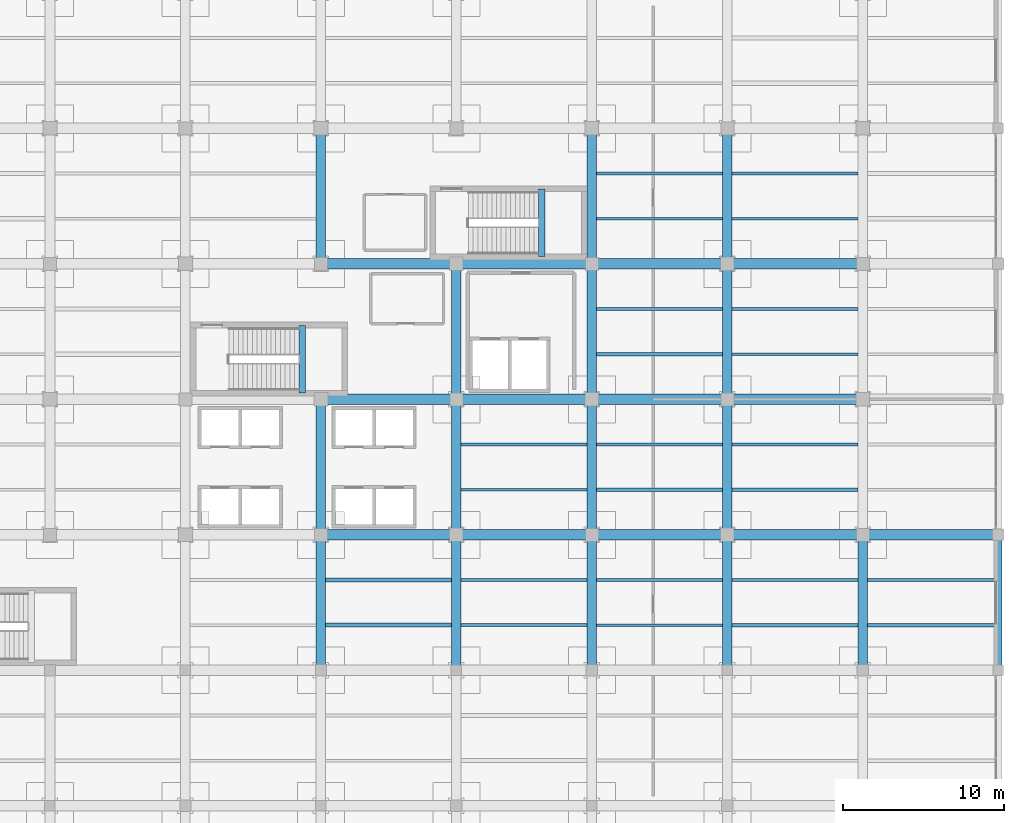
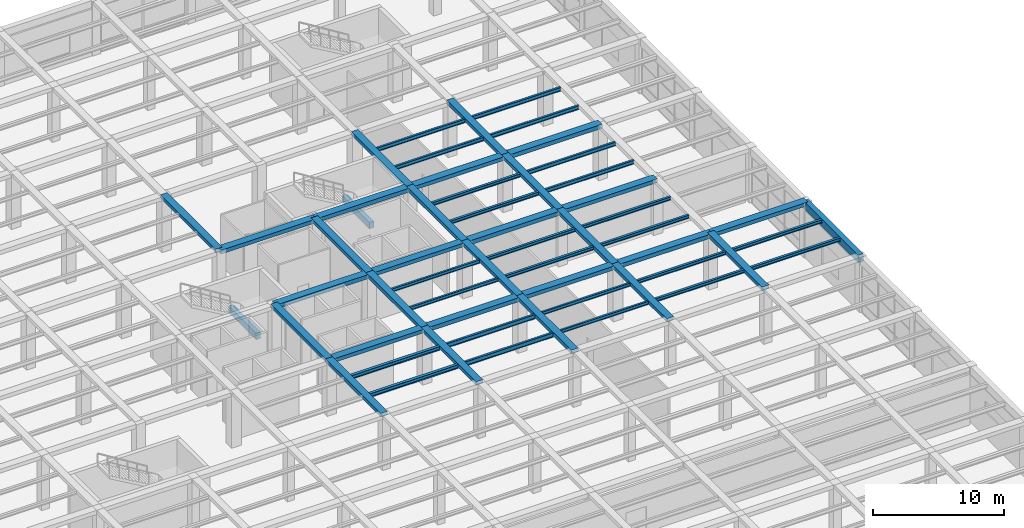
# One storey, part 55 of 95: 55 beams.
"""IFC4 building model written with IfcOpenShell, lengths in metres."""

from ifc_helpers import new_model, si_unit, direction, frame, origin, origin_2d, place, context, subcontext, project, spatial, rectangle, i_section, extrude, material, material_profile, profile_set, type_object, element, save


model = new_model("IFC4")

# Units and contexts
model_context = context("Model", 3, precision=1e-05, world=origin(), true_north=direction((0.0, 1.0)))
body_context = subcontext(model_context, "Body", "Model", "MODEL_VIEW")
ifc_project = project(units=[si_unit("LENGTHUNIT", "METRE"), si_unit("AREAUNIT", "SQUARE_METRE"), si_unit("VOLUMEUNIT", "CUBIC_METRE"), si_unit("PLANEANGLEUNIT", "RADIAN"), si_unit("MASSUNIT", "GRAM", prefix="KILO")], contexts=[model_context])

# Site, building, storey
site_placement = place(None, origin())
site = spatial("IfcSite", under=ifc_project, at=site_placement, CompositionType="ELEMENT")
building_placement = place(site_placement, origin())
building = spatial("IfcBuilding", under=site, at=building_placement, Name="Almacenes y Pasaje Nevantli", CompositionType="ELEMENT")
storey_placement = place(building_placement, frame((0.0, 0.0, 11.39990234375)))
storey = spatial("IfcBuildingStorey", under=building, at=storey_placement, Name="L03", CompositionType="ELEMENT", Elevation=11.39990234375)

# Beams
ifc_material_1 = material(Name="Concrete C35/45", Category="concrete")
ifc_material_profile_1 = material_profile(ifc_material_1, rectangle(XDim=0.39990234375, YDim=0.60009765625, at=origin_2d()), Name="RC-BM-400x600")
ifc_profile_set_1 = profile_set([ifc_material_profile_1], Name="Concrete C35/45")
beam_type_1 = type_object("IfcBeamType", Name="BM-RC-400x600", PredefinedType="SPANDREL", material=ifc_profile_set_1)
for number, where, z_axis, x_axis, name in (
    (1, (124.85009765625, 76.0, 2.2001953125), (0.0, 1.0, 0.0), (-1.0, 0.0, 0.0), "L03 Stair ST-01 Half-Landing Support Beam"),
    (2, (139.699951171875, 84.449951171875, 2.2001953125), (0.0, 1.0, 0.0), (-1.0, 0.0, 0.0), "L03 Stair ST-02 Half-Landing Support Beam"),
):
    element("IfcBeam", number, at=place(storey_placement, frame(where, z_axis=z_axis, x_axis=x_axis)), inside=storey, type_object=beam_type_1, Name=name, PredefinedType="SPANDREL", context=body_context, shape_type="SweptSolid", body=[
        extrude(rectangle(XDim=0.39990234375, YDim=0.60009765625, at=origin_2d()), origin(), (0.0, 0.0, 1.0), 4.18994140625),
    ])
ifc_material_2 = material(Name="Concrete C35/45", Category="concrete")
ifc_material_profile_2 = material_profile(ifc_material_2, rectangle(XDim=0.449951171875, YDim=0.699951171875, at=origin_2d()), Name="RC-BM-450x700")
ifc_profile_set_2 = profile_set([ifc_material_profile_2], Name="Concrete C35/45")
beam_type_2 = type_object("IfcBeamType", Name="BM-RC-450x700", PredefinedType="SPANDREL", material=ifc_profile_set_2)
beam_1_placement = place(storey_placement, frame((168.0, 58.800048828125, 4.75), z_axis=(0.0, 1.0, 0.0), x_axis=(-1.0, 0.0, 0.0)))
element("IfcBeam", 3, at=beam_1_placement, inside=storey, type_object=beam_type_2, Name="L03 North-South Reinforced Concrete Beam #2709", PredefinedType="SPANDREL", context=body_context, shape_type="SweptSolid", body=[
    extrude(rectangle(XDim=0.449951171875, YDim=0.699951171875, at=origin_2d()), origin(), (0.0, 0.0, 1.0), 8.39990234375),
])
ifc_material_3 = material(Name="Concrete C35/45", Category="concrete")
ifc_material_profile_3 = material_profile(ifc_material_3, rectangle(XDim=0.60009765625, YDim=0.320068359375, at=origin_2d()), Name="RC-BM-600x320")
ifc_profile_set_3 = profile_set([ifc_material_profile_3], Name="Concrete C35/45")
beam_type_3 = type_object("IfcBeamType", Name="BM-RC-600x320", PredefinedType="BEAM", material=ifc_profile_set_3)
beam_2_placement = place(storey_placement, frame((126.0, 67.199951171875, 4.940185546875), z_axis=(0.0, 1.0, 0.0), x_axis=(-1.0, 0.0, 0.0)))
element("IfcBeam", 4, at=beam_2_placement, inside=storey, type_object=beam_type_3, Name="L03 North-South Reinforced Concrete Beam #2644", PredefinedType="BEAM", context=body_context, shape_type="SweptSolid", body=[
    extrude(rectangle(XDim=0.60009765625, YDim=0.320068359375, at=origin_2d()), origin(), (0.0, 0.0, 1.0), 8.400146484375),
])
for number, where, z_axis, x_axis, name in (
    (5, (126.0, 84.0, 4.940185546875), (0.0, 1.0, 0.0), (-1.0, 0.0, 0.0), "L03 North-South Reinforced Concrete Beam #2645"),
    (6, (134.39990234375, 58.800048828125, 4.940185546875), (0.0, 1.0, 0.0), (-1.0, 0.0, 0.0), "L03 North-South Reinforced Concrete Beam #2655"),
    (7, (134.39990234375, 75.60009765625, 4.940185546875), (0.0, 1.0, 0.0), (-1.0, 0.0, 0.0), "L03 North-South Reinforced Concrete Beam #2657"),
):
    element("IfcBeam", number, at=place(storey_placement, frame(where, z_axis=z_axis, x_axis=x_axis)), inside=storey, type_object=beam_type_3, Name=name, PredefinedType="BEAM", context=body_context, shape_type="SweptSolid", body=[
        extrude(rectangle(XDim=0.60009765625, YDim=0.320068359375, at=origin_2d()), origin(), (0.0, 0.0, 1.0), 8.39990234375),
    ])
beam_3_placement = place(storey_placement, frame((142.800048828125, 67.199951171875, 4.940185546875), z_axis=(0.0, 1.0, 0.0), x_axis=(-1.0, 0.0, 0.0)))
element("IfcBeam", 8, at=beam_3_placement, inside=storey, type_object=beam_type_3, Name="L03 North-South Reinforced Concrete Beam #2669", PredefinedType="BEAM", context=body_context, shape_type="SweptSolid", body=[
    extrude(rectangle(XDim=0.60009765625, YDim=0.320068359375, at=origin_2d()), origin(), (0.0, 0.0, 1.0), 8.400146484375),
])
for number, where, z_axis, x_axis, name in (
    (9, (142.800048828125, 84.0, 4.940185546875), (0.0, 1.0, 0.0), (-1.0, 0.0, 0.0), "L03 North-South Reinforced Concrete Beam #2671"),
    (10, (151.199951171875, 58.800048828125, 4.940185546875), (0.0, 1.0, 0.0), (-1.0, 0.0, 0.0), "L03 North-South Reinforced Concrete Beam #2682"),
    (11, (151.199951171875, 75.60009765625, 4.940185546875), (0.0, 1.0, 0.0), (-1.0, 0.0, 0.0), "L03 North-South Reinforced Concrete Beam #2684"),
):
    element("IfcBeam", number, at=place(storey_placement, frame(where, z_axis=z_axis, x_axis=x_axis)), inside=storey, type_object=beam_type_3, Name=name, PredefinedType="BEAM", context=body_context, shape_type="SweptSolid", body=[
        extrude(rectangle(XDim=0.60009765625, YDim=0.320068359375, at=origin_2d()), origin(), (0.0, 0.0, 1.0), 8.39990234375),
    ])
ifc_material_4 = material(Name="Concrete C35/45", Category="concrete")
ifc_material_profile_4 = material_profile(ifc_material_4, rectangle(XDim=0.60009765625, YDim=0.340087890625, at=origin_2d()), Name="RC-BM-600x340")
ifc_profile_set_4 = profile_set([ifc_material_profile_4], Name="Concrete C35/45")
beam_type_4 = type_object("IfcBeamType", Name="BM-RC-600x340", PredefinedType="BEAM", material=ifc_profile_set_4)
beam_4_placement = place(storey_placement, frame((126.0, 58.800048828125, 4.93017578125), z_axis=(0.0, 1.0, 0.0), x_axis=(-1.0, 0.0, 0.0)))
element("IfcBeam", 12, at=beam_4_placement, inside=storey, type_object=beam_type_4, Name="L03 North-South Reinforced Concrete Beam #2643", PredefinedType="BEAM", context=body_context, shape_type="SweptSolid", body=[
    extrude(rectangle(XDim=0.60009765625, YDim=0.340087890625, at=origin_2d()), origin(), (0.0, 0.0, 1.0), 8.39990234375),
])
beam_5_placement = place(storey_placement, frame((134.39990234375, 67.199951171875, 4.93017578125), z_axis=(0.0, 1.0, 0.0), x_axis=(-1.0, 0.0, 0.0)))
element("IfcBeam", 13, at=beam_5_placement, inside=storey, type_object=beam_type_4, Name="L03 North-South Reinforced Concrete Beam #2656", PredefinedType="BEAM", context=body_context, shape_type="SweptSolid", body=[
    extrude(rectangle(XDim=0.60009765625, YDim=0.340087890625, at=origin_2d()), origin(), (0.0, 0.0, 1.0), 8.400146484375),
])
for number, where, z_axis, x_axis, name in (
    (14, (142.800048828125, 58.800048828125, 4.93017578125), (0.0, 1.0, 0.0), (-1.0, 0.0, 0.0), "L03 North-South Reinforced Concrete Beam #2668"),
    (15, (142.800048828125, 75.60009765625, 4.93017578125), (0.0, 1.0, 0.0), (-1.0, 0.0, 0.0), "L03 North-South Reinforced Concrete Beam #2670"),
):
    element("IfcBeam", number, at=place(storey_placement, frame(where, z_axis=z_axis, x_axis=x_axis)), inside=storey, type_object=beam_type_4, Name=name, PredefinedType="BEAM", context=body_context, shape_type="SweptSolid", body=[
        extrude(rectangle(XDim=0.60009765625, YDim=0.340087890625, at=origin_2d()), origin(), (0.0, 0.0, 1.0), 8.39990234375),
    ])
beam_6_placement = place(storey_placement, frame((151.199951171875, 67.199951171875, 4.93017578125), z_axis=(0.0, 1.0, 0.0), x_axis=(-1.0, 0.0, 0.0)))
element("IfcBeam", 16, at=beam_6_placement, inside=storey, type_object=beam_type_4, Name="L03 North-South Reinforced Concrete Beam #2683", PredefinedType="BEAM", context=body_context, shape_type="SweptSolid", body=[
    extrude(rectangle(XDim=0.60009765625, YDim=0.340087890625, at=origin_2d()), origin(), (0.0, 0.0, 1.0), 8.400146484375),
])
for number, where, z_axis, x_axis, name in (
    (17, (151.199951171875, 84.0, 4.93017578125), (0.0, 1.0, 0.0), (-1.0, 0.0, 0.0), "L03 North-South Reinforced Concrete Beam #2685"),
    (18, (159.60009765625, 58.800048828125, 4.93017578125), (0.0, 1.0, 0.0), (-1.0, 0.0, 0.0), "L03 North-South Reinforced Concrete Beam #2695"),
):
    element("IfcBeam", number, at=place(storey_placement, frame(where, z_axis=z_axis, x_axis=x_axis)), inside=storey, type_object=beam_type_4, Name=name, PredefinedType="BEAM", context=body_context, shape_type="SweptSolid", body=[
        extrude(rectangle(XDim=0.60009765625, YDim=0.340087890625, at=origin_2d()), origin(), (0.0, 0.0, 1.0), 8.39990234375),
    ])
ifc_material_5 = material(Name="Concrete C35/45", Category="concrete")
ifc_material_profile_5 = material_profile(ifc_material_5, rectangle(XDim=0.64990234375, YDim=0.35009765625, at=origin_2d()), Name="RC-BM-650x350")
ifc_profile_set_5 = profile_set([ifc_material_profile_5], Name="Concrete C35/45")
beam_type_5 = type_object("IfcBeamType", Name="BM-RC-650x350", PredefinedType="BEAM", material=ifc_profile_set_5)
for number, where, z_axis, x_axis, name in (
    (19, (126.0, 67.199951171875, 4.925048828125), (1.0, 0.0, 0.0), (0.0, 1.0, 0.0), "L03 East-West Reinforced Concrete Beam #2370"),
    (20, (142.800048828125, 67.199951171875, 4.925048828125), (1.0, 0.0, 0.0), (0.0, 1.0, 0.0), "L03 East-West Reinforced Concrete Beam #2372"),
    (21, (159.60009765625, 67.199951171875, 4.925048828125), (1.0, 0.0, 0.0), (0.0, 1.0, 0.0), "L03 East-West Reinforced Concrete Beam #2374"),
):
    element("IfcBeam", number, at=place(storey_placement, frame(where, z_axis=z_axis, x_axis=x_axis)), inside=storey, type_object=beam_type_5, Name=name, PredefinedType="BEAM", context=body_context, shape_type="SweptSolid", body=[
        extrude(rectangle(XDim=0.64990234375, YDim=0.35009765625, at=origin_2d()), origin(), (0.0, 0.0, 1.0), 8.39990234375),
    ])
for number, where, z_axis, x_axis, name in (
    (22, (134.39990234375, 75.60009765625, 4.925048828125), (1.0, 0.0, 0.0), (0.0, 1.0, 0.0), "L03 East-West Reinforced Concrete Beam #2388"),
    (23, (151.199951171875, 75.60009765625, 4.925048828125), (1.0, 0.0, 0.0), (0.0, 1.0, 0.0), "L03 East-West Reinforced Concrete Beam #2390"),
):
    element("IfcBeam", number, at=place(storey_placement, frame(where, z_axis=z_axis, x_axis=x_axis)), inside=storey, type_object=beam_type_5, Name=name, PredefinedType="BEAM", context=body_context, shape_type="SweptSolid", body=[
        extrude(rectangle(XDim=0.64990234375, YDim=0.35009765625, at=origin_2d()), origin(), (0.0, 0.0, 1.0), 8.400146484375),
    ])
for number, where, z_axis, x_axis, name in (
    (24, (126.0, 84.0, 4.925048828125), (1.0, 0.0, 0.0), (0.0, 1.0, 0.0), "L03 East-West Reinforced Concrete Beam #2404"),
    (25, (142.800048828125, 84.0, 4.925048828125), (1.0, 0.0, 0.0), (0.0, 1.0, 0.0), "L03 East-West Reinforced Concrete Beam #2406"),
):
    element("IfcBeam", number, at=place(storey_placement, frame(where, z_axis=z_axis, x_axis=x_axis)), inside=storey, type_object=beam_type_5, Name=name, PredefinedType="BEAM", context=body_context, shape_type="SweptSolid", body=[
        extrude(rectangle(XDim=0.64990234375, YDim=0.35009765625, at=origin_2d()), origin(), (0.0, 0.0, 1.0), 8.39990234375),
    ])
ifc_material_6 = material(Name="Concrete C35/45", Category="concrete")
ifc_material_profile_6 = material_profile(ifc_material_6, rectangle(XDim=0.64990234375, YDim=0.3798828125, at=origin_2d()), Name="RC-BM-650x380")
ifc_profile_set_6 = profile_set([ifc_material_profile_6], Name="Concrete C35/45")
beam_type_6 = type_object("IfcBeamType", Name="BM-RC-650x380", PredefinedType="BEAM", material=ifc_profile_set_6)
for number, where, z_axis, x_axis, name in (
    (26, (134.39990234375, 67.199951171875, 4.91015625), (1.0, 0.0, 0.0), (0.0, 1.0, 0.0), "L03 East-West Reinforced Concrete Beam #2371"),
    (27, (151.199951171875, 67.199951171875, 4.91015625), (1.0, 0.0, 0.0), (0.0, 1.0, 0.0), "L03 East-West Reinforced Concrete Beam #2373"),
):
    element("IfcBeam", number, at=place(storey_placement, frame(where, z_axis=z_axis, x_axis=x_axis)), inside=storey, type_object=beam_type_6, Name=name, PredefinedType="BEAM", context=body_context, shape_type="SweptSolid", body=[
        extrude(rectangle(XDim=0.64990234375, YDim=0.3798828125, at=origin_2d()), origin(), (0.0, 0.0, 1.0), 8.400146484375),
    ])
for number, where, z_axis, x_axis, name in (
    (28, (126.0, 75.60009765625, 4.91015625), (1.0, 0.0, 0.0), (0.0, 1.0, 0.0), "L03 East-West Reinforced Concrete Beam #2387"),
    (29, (142.800048828125, 75.60009765625, 4.91015625), (1.0, 0.0, 0.0), (0.0, 1.0, 0.0), "L03 East-West Reinforced Concrete Beam #2389"),
):
    element("IfcBeam", number, at=place(storey_placement, frame(where, z_axis=z_axis, x_axis=x_axis)), inside=storey, type_object=beam_type_6, Name=name, PredefinedType="BEAM", context=body_context, shape_type="SweptSolid", body=[
        extrude(rectangle(XDim=0.64990234375, YDim=0.3798828125, at=origin_2d()), origin(), (0.0, 0.0, 1.0), 8.39990234375),
    ])
for number, where, z_axis, x_axis, name in (
    (30, (134.39990234375, 84.0, 4.91015625), (1.0, 0.0, 0.0), (0.0, 1.0, 0.0), "L03 East-West Reinforced Concrete Beam #2405"),
    (31, (151.199951171875, 84.0, 4.91015625), (1.0, 0.0, 0.0), (0.0, 1.0, 0.0), "L03 East-West Reinforced Concrete Beam #2407"),
):
    element("IfcBeam", number, at=place(storey_placement, frame(where, z_axis=z_axis, x_axis=x_axis)), inside=storey, type_object=beam_type_6, Name=name, PredefinedType="BEAM", context=body_context, shape_type="SweptSolid", body=[
        extrude(rectangle(XDim=0.64990234375, YDim=0.3798828125, at=origin_2d()), origin(), (0.0, 0.0, 1.0), 8.400146484375),
    ])
ifc_material_7 = material(Name="Steel ASTM A992", Category="steel")
ifc_material_profile_7 = material_profile(ifc_material_7, i_section(OverallWidth=0.1650390625, OverallDepth=0.306884765625, WebThickness=0.006591796875, FlangeThickness=0.01025390625, at=origin_2d()), Name="IR 305x44.6")
ifc_profile_set_7 = profile_set([ifc_material_profile_7], Name="Steel ASTM A992")
beam_type_7 = type_object("IfcBeamType", Name="BM-STL-IR-305x44p6", PredefinedType="JOIST", material=ifc_profile_set_7)
for number, where, z_axis, x_axis, name in (
    (32, (134.699951171875, 70.0, 4.9384765625), (1.0, 0.0, 0.0), (0.0, 1.0, 0.0), "L03 Secondary Steel Floor Joist #929"),
    (33, (134.699951171875, 72.800048828125, 4.9384765625), (1.0, 0.0, 0.0), (0.0, 1.0, 0.0), "L03 Secondary Steel Floor Joist #930"),
):
    element("IfcBeam", number, at=place(storey_placement, frame(where, z_axis=z_axis, x_axis=x_axis)), inside=storey, type_object=beam_type_7, Name=name, PredefinedType="JOIST", context=body_context, shape_type="SweptSolid", body=[
        extrude(i_section(OverallWidth=0.1650390625, OverallDepth=0.306884765625, WebThickness=0.006591796875, FlangeThickness=0.01025390625, at=origin_2d()), origin(), (0.0, 0.0, 1.0), 7.800048828125),
    ])
for number, where, z_axis, x_axis, name in (
    (34, (143.10009765625, 61.60009765625, 4.9384765625), (1.0, 0.0, 0.0), (0.0, 1.0, 0.0), "L03 Secondary Steel Floor Joist #949"),
    (35, (143.10009765625, 64.39990234375, 4.9384765625), (1.0, 0.0, 0.0), (0.0, 1.0, 0.0), "L03 Secondary Steel Floor Joist #950"),
):
    element("IfcBeam", number, at=place(storey_placement, frame(where, z_axis=z_axis, x_axis=x_axis)), inside=storey, type_object=beam_type_7, Name=name, PredefinedType="JOIST", context=body_context, shape_type="SweptSolid", body=[
        extrude(i_section(OverallWidth=0.1650390625, OverallDepth=0.306884765625, WebThickness=0.006591796875, FlangeThickness=0.01025390625, at=origin_2d()), origin(), (0.0, 0.0, 1.0), 7.7998046875),
    ])
ifc_material_8 = material(Name="Steel ASTM A992", Category="steel")
ifc_material_profile_8 = material_profile(ifc_material_8, i_section(OverallWidth=0.202880859375, OverallDepth=0.304931640625, WebThickness=0.007568359375, FlangeThickness=0.01318359375, at=origin_2d()), Name="IR 305x59.5")
ifc_profile_set_8 = profile_set([ifc_material_profile_8], Name="Steel ASTM A992")
beam_type_8 = type_object("IfcBeamType", Name="BM-STL-IR-305x59p5", PredefinedType="JOIST", material=ifc_profile_set_8)
for number, where, z_axis, x_axis, name in (
    (36, (143.10009765625, 70.0, 4.939697265625), (1.0, 0.0, 0.0), (0.0, 1.0, 0.0), "L03 Secondary Steel Floor Joist #951"),
    (37, (143.10009765625, 72.800048828125, 4.939697265625), (1.0, 0.0, 0.0), (0.0, 1.0, 0.0), "L03 Secondary Steel Floor Joist #952"),
):
    element("IfcBeam", number, at=place(storey_placement, frame(where, z_axis=z_axis, x_axis=x_axis)), inside=storey, type_object=beam_type_8, Name=name, PredefinedType="JOIST", context=body_context, shape_type="SweptSolid", body=[
        extrude(i_section(OverallWidth=0.202880859375, OverallDepth=0.304931640625, WebThickness=0.007568359375, FlangeThickness=0.01318359375, at=origin_2d()), origin(), (0.0, 0.0, 1.0), 7.7998046875),
    ])
for number, where, z_axis, x_axis, name in (
    (38, (151.5, 61.60009765625, 4.939697265625), (1.0, 0.0, 0.0), (0.0, 1.0, 0.0), "L03 Secondary Steel Floor Joist #975"),
    (39, (151.5, 64.39990234375, 4.939697265625), (1.0, 0.0, 0.0), (0.0, 1.0, 0.0), "L03 Secondary Steel Floor Joist #976"),
):
    element("IfcBeam", number, at=place(storey_placement, frame(where, z_axis=z_axis, x_axis=x_axis)), inside=storey, type_object=beam_type_8, Name=name, PredefinedType="JOIST", context=body_context, shape_type="SweptSolid", body=[
        extrude(i_section(OverallWidth=0.202880859375, OverallDepth=0.304931640625, WebThickness=0.007568359375, FlangeThickness=0.01318359375, at=origin_2d()), origin(), (0.0, 0.0, 1.0), 7.800048828125),
    ])
ifc_material_9 = material(Name="Steel ASTM A992", Category="steel")
ifc_material_profile_9 = material_profile(ifc_material_9, i_section(OverallWidth=0.205078125, OverallDepth=0.31005859375, WebThickness=0.009521484375, FlangeThickness=0.016357421875, at=origin_2d()), Name="IR 305x74.4")
ifc_profile_set_9 = profile_set([ifc_material_profile_9], Name="Steel ASTM A992")
beam_type_9 = type_object("IfcBeamType", Name="BM-STL-IR-305x74p4", PredefinedType="JOIST", material=ifc_profile_set_9)
for number, where, z_axis, x_axis, name in (
    (40, (143.10009765625, 78.39990234375, 4.93701171875), (1.0, 0.0, 0.0), (0.0, 1.0, 0.0), "L03 Secondary Steel Floor Joist #953"),
    (41, (143.10009765625, 81.199951171875, 4.93701171875), (1.0, 0.0, 0.0), (0.0, 1.0, 0.0), "L03 Secondary Steel Floor Joist #954"),
):
    element("IfcBeam", number, at=place(storey_placement, frame(where, z_axis=z_axis, x_axis=x_axis)), inside=storey, type_object=beam_type_9, Name=name, PredefinedType="JOIST", context=body_context, shape_type="SweptSolid", body=[
        extrude(i_section(OverallWidth=0.205078125, OverallDepth=0.31005859375, WebThickness=0.009521484375, FlangeThickness=0.016357421875, at=origin_2d()), origin(), (0.0, 0.0, 1.0), 7.7998046875),
    ])
for number, where, z_axis, x_axis, name in (
    (42, (151.5, 70.0, 4.93701171875), (1.0, 0.0, 0.0), (0.0, 1.0, 0.0), "L03 Secondary Steel Floor Joist #977"),
    (43, (151.5, 72.800048828125, 4.93701171875), (1.0, 0.0, 0.0), (0.0, 1.0, 0.0), "L03 Secondary Steel Floor Joist #978"),
):
    element("IfcBeam", number, at=place(storey_placement, frame(where, z_axis=z_axis, x_axis=x_axis)), inside=storey, type_object=beam_type_9, Name=name, PredefinedType="JOIST", context=body_context, shape_type="SweptSolid", body=[
        extrude(i_section(OverallWidth=0.205078125, OverallDepth=0.31005859375, WebThickness=0.009521484375, FlangeThickness=0.016357421875, at=origin_2d()), origin(), (0.0, 0.0, 1.0), 7.800048828125),
    ])
for number, where, z_axis, x_axis, name in (
    (44, (159.89990234375, 61.60009765625, 4.93701171875), (1.0, 0.0, 0.0), (0.0, 1.0, 0.0), "L03 Secondary Steel Floor Joist #1001"),
    (45, (159.89990234375, 64.39990234375, 4.93701171875), (1.0, 0.0, 0.0), (0.0, 1.0, 0.0), "L03 Secondary Steel Floor Joist #1002"),
):
    element("IfcBeam", number, at=place(storey_placement, frame(where, z_axis=z_axis, x_axis=x_axis)), inside=storey, type_object=beam_type_9, Name=name, PredefinedType="JOIST", context=body_context, shape_type="SweptSolid", body=[
        extrude(i_section(OverallWidth=0.205078125, OverallDepth=0.31005859375, WebThickness=0.009521484375, FlangeThickness=0.016357421875, at=origin_2d()), origin(), (0.0, 0.0, 1.0), 7.875),
    ])
ifc_material_10 = material(Name="Steel ASTM A992", Category="steel")
ifc_material_profile_10 = material_profile(ifc_material_10, i_section(OverallWidth=0.173095703125, OverallDepth=0.35302734375, WebThickness=0.0078125, FlangeThickness=0.01318359375, at=origin_2d()), Name="IR 356x56.6")
ifc_profile_set_10 = profile_set([ifc_material_profile_10], Name="Steel ASTM A992")
beam_type_10 = type_object("IfcBeamType", Name="BM-STL-IR-356x56p6", PredefinedType="JOIST", material=ifc_profile_set_10)
for number, where, z_axis, x_axis, name in (
    (46, (143.10009765625, 86.800048828125, 4.91552734375), (1.0, 0.0, 0.0), (0.0, 1.0, 0.0), "L03 Secondary Steel Floor Joist #955"),
    (47, (143.10009765625, 89.60009765625, 4.91552734375), (1.0, 0.0, 0.0), (0.0, 1.0, 0.0), "L03 Secondary Steel Floor Joist #956"),
):
    element("IfcBeam", number, at=place(storey_placement, frame(where, z_axis=z_axis, x_axis=x_axis)), inside=storey, type_object=beam_type_10, Name=name, PredefinedType="JOIST", context=body_context, shape_type="SweptSolid", body=[
        extrude(i_section(OverallWidth=0.173095703125, OverallDepth=0.35302734375, WebThickness=0.0078125, FlangeThickness=0.01318359375, at=origin_2d()), origin(), (0.0, 0.0, 1.0), 7.7998046875),
    ])
for number, where, z_axis, x_axis, name in (
    (48, (151.5, 78.39990234375, 4.91552734375), (1.0, 0.0, 0.0), (0.0, 1.0, 0.0), "L03 Secondary Steel Floor Joist #979"),
    (49, (151.5, 81.199951171875, 4.91552734375), (1.0, 0.0, 0.0), (0.0, 1.0, 0.0), "L03 Secondary Steel Floor Joist #980"),
):
    element("IfcBeam", number, at=place(storey_placement, frame(where, z_axis=z_axis, x_axis=x_axis)), inside=storey, type_object=beam_type_10, Name=name, PredefinedType="JOIST", context=body_context, shape_type="SweptSolid", body=[
        extrude(i_section(OverallWidth=0.173095703125, OverallDepth=0.35302734375, WebThickness=0.0078125, FlangeThickness=0.01318359375, at=origin_2d()), origin(), (0.0, 0.0, 1.0), 7.800048828125),
    ])
ifc_material_11 = material(Name="Steel ASTM A992", Category="steel")
ifc_material_profile_11 = material_profile(ifc_material_11, i_section(OverallWidth=0.173095703125, OverallDepth=0.364013671875, WebThickness=0.009033203125, FlangeThickness=0.015625, at=origin_2d()), Name="IR 356x67.0")
ifc_profile_set_11 = profile_set([ifc_material_profile_11], Name="Steel ASTM A992")
beam_type_11 = type_object("IfcBeamType", Name="BM-STL-IR-356x67p0", PredefinedType="JOIST", material=ifc_profile_set_11)
for number, where, z_axis, x_axis, name in (
    (50, (151.5, 86.800048828125, 4.91015625), (1.0, 0.0, 0.0), (0.0, 1.0, 0.0), "L03 Secondary Steel Floor Joist #981"),
    (51, (151.5, 89.60009765625, 4.91015625), (1.0, 0.0, 0.0), (0.0, 1.0, 0.0), "L03 Secondary Steel Floor Joist #982"),
):
    element("IfcBeam", number, at=place(storey_placement, frame(where, z_axis=z_axis, x_axis=x_axis)), inside=storey, type_object=beam_type_11, Name=name, PredefinedType="JOIST", context=body_context, shape_type="SweptSolid", body=[
        extrude(i_section(OverallWidth=0.173095703125, OverallDepth=0.364013671875, WebThickness=0.009033203125, FlangeThickness=0.015625, at=origin_2d()), origin(), (0.0, 0.0, 1.0), 7.800048828125),
    ])
ifc_material_12 = material(Name="Steel ASTM A992", Category="steel")
ifc_material_profile_12 = material_profile(ifc_material_12, i_section(OverallWidth=0.25390625, OverallDepth=0.35595703125, WebThickness=0.009521484375, FlangeThickness=0.016357421875, at=origin_2d()), Name="IR 356x79.0")
ifc_profile_set_12 = profile_set([ifc_material_profile_12], Name="Steel ASTM A992")
beam_type_12 = type_object("IfcBeamType", Name="BM-STL-IR-356x79p0", PredefinedType="JOIST", material=ifc_profile_set_12)
for number, where, z_axis, x_axis, name in (
    (52, (126.300048828125, 61.60009765625, 4.9140625), (1.0, 0.0, 0.0), (0.0, 1.0, 0.0), "L03 Secondary Steel Floor Joist #907"),
    (53, (126.300048828125, 64.39990234375, 4.9140625), (1.0, 0.0, 0.0), (0.0, 1.0, 0.0), "L03 Secondary Steel Floor Joist #908"),
):
    element("IfcBeam", number, at=place(storey_placement, frame(where, z_axis=z_axis, x_axis=x_axis)), inside=storey, type_object=beam_type_12, Name=name, PredefinedType="JOIST", context=body_context, shape_type="SweptSolid", body=[
        extrude(i_section(OverallWidth=0.25390625, OverallDepth=0.35595703125, WebThickness=0.009521484375, FlangeThickness=0.016357421875, at=origin_2d()), origin(), (0.0, 0.0, 1.0), 7.800048828125),
    ])
ifc_material_13 = material(Name="Steel ASTM A992", Category="steel")
ifc_material_profile_13 = material_profile(ifc_material_13, i_section(OverallWidth=0.178955078125, OverallDepth=0.406005859375, WebThickness=0.0087890625, FlangeThickness=0.014404296875, at=origin_2d()), Name="IR 406x67.0")
ifc_profile_set_13 = profile_set([ifc_material_profile_13], Name="Steel ASTM A992")
beam_type_13 = type_object("IfcBeamType", Name="BM-STL-IR-406x67p0", PredefinedType="JOIST", material=ifc_profile_set_13)
for number, where, z_axis, x_axis, name in (
    (54, (134.699951171875, 61.60009765625, 4.88916015625), (1.0, 0.0, 0.0), (0.0, 1.0, 0.0), "L03 Secondary Steel Floor Joist #927"),
    (55, (134.699951171875, 64.39990234375, 4.88916015625), (1.0, 0.0, 0.0), (0.0, 1.0, 0.0), "L03 Secondary Steel Floor Joist #928"),
):
    element("IfcBeam", number, at=place(storey_placement, frame(where, z_axis=z_axis, x_axis=x_axis)), inside=storey, type_object=beam_type_13, Name=name, PredefinedType="JOIST", context=body_context, shape_type="SweptSolid", body=[
        extrude(i_section(OverallWidth=0.178955078125, OverallDepth=0.406005859375, WebThickness=0.0087890625, FlangeThickness=0.014404296875, at=origin_2d()), origin(), (0.0, 0.0, 1.0), 7.800048828125),
    ])

save(model, "model.ifc")
